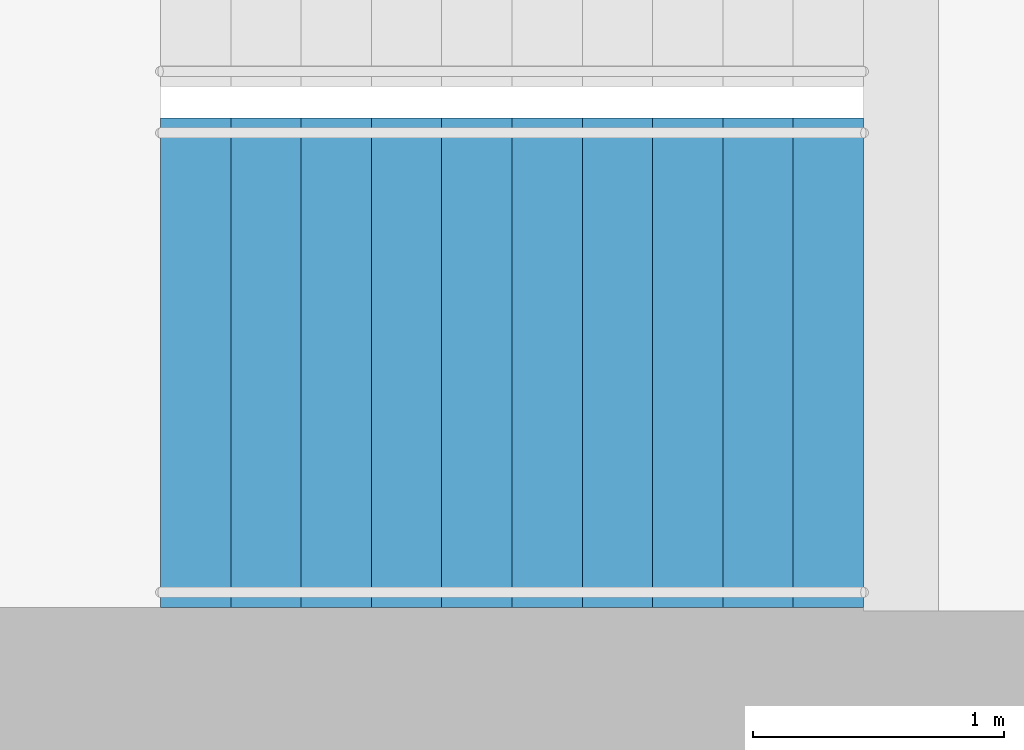
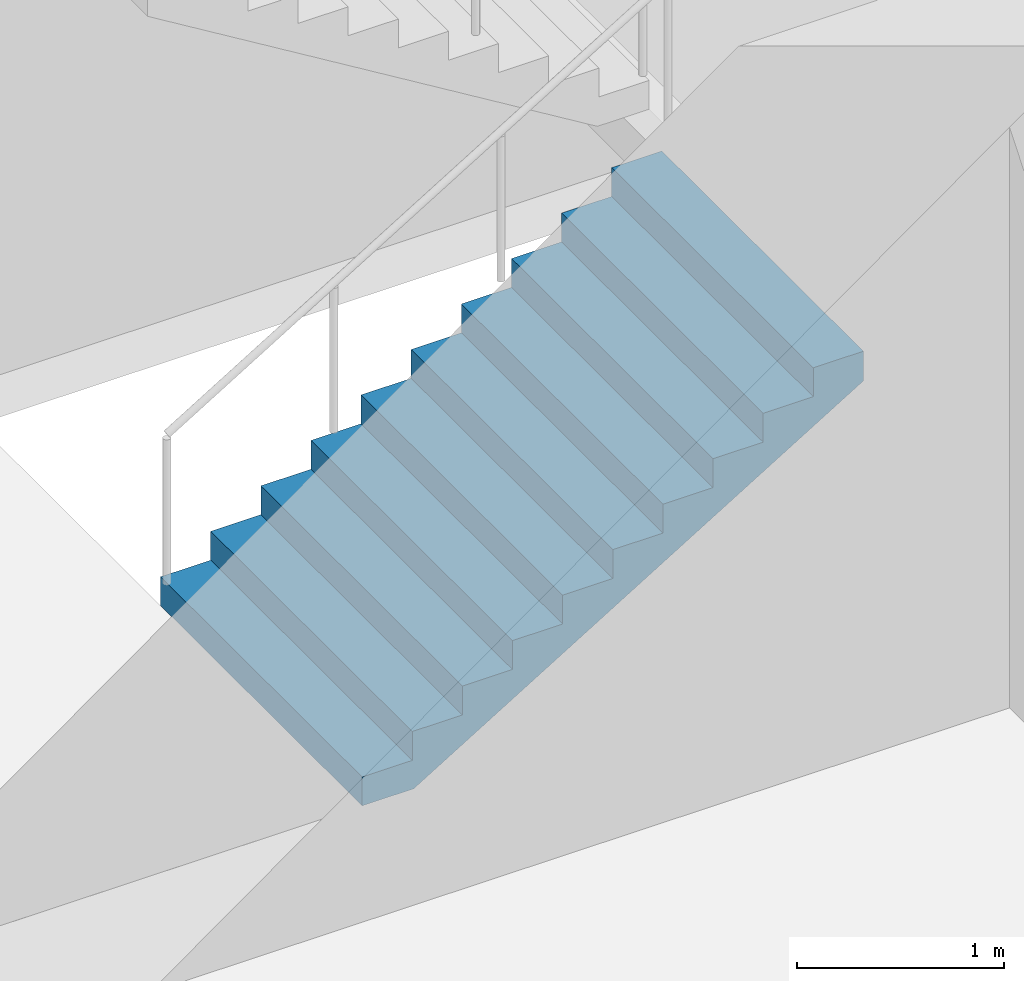
# One storey, part 19 of 23: 1 stair flight, 1 element without a shape of its own.
"""IFC4 building model written with IfcOpenShell, lengths in metres."""

import ifcopenshell
import ifcopenshell.guid

model = None  # the IFC model being written
_history = None  # IfcOwnerHistory: only IFC2X3 demands one
_inside = {}  # id of a spatial element -> (the spatial element, [elements in it])
_under = {}  # id of a project, library or spatial element -> (it, [spatial elements below it])
_declared = {}  # id of a project -> (the project, [libraries it declares])
_typed = {}  # id of a type object -> (the type object, [elements of that type])
_made_of = {}  # id of a material, layer set ... -> (it, [elements and type objects made of it])


def new_model(schema):
    """Start an empty IFC model of exactly this schema.

    Asked for "IFC4X3", IfcOpenShell would pick the latest addendum, in which some entities
    have other attributes; the version numbers below select the first issue.
    IFC2X3 requires an IfcOwnerHistory on every rooted entity: one is made here for all.
    """
    global model, _history
    if schema == "IFC4X3":
        model = ifcopenshell.file(schema_version=(4, 3, 0, 0))
    else:
        model = ifcopenshell.file(schema=schema)
    _inside.clear()
    _under.clear()
    _declared.clear()
    _typed.clear()
    _made_of.clear()
    _history = None
    if model.schema == "IFC2X3":
        org = make("IfcOrganization", Name="unknown")
        user = make(
            "IfcPersonAndOrganization",
            ThePerson=make("IfcPerson", FamilyName="unknown"),
            TheOrganization=org,
        )
        app = make(
            "IfcApplication",
            ApplicationDeveloper=org,
            Version="unknown",
            ApplicationFullName="unknown",
            ApplicationIdentifier="unknown",
        )
        _history = make(
            "IfcOwnerHistory",
            OwningUser=user,
            OwningApplication=app,
            ChangeAction="ADDED",
            CreationDate=0,
        )
    return model


def make(cls, **values):
    """One entity of the class cls with the attributes given. An attribute that is None is left unset."""
    return model.create_entity(
        cls, **{name: value for name, value in values.items() if value is not None}
    )


def rooted(cls, **values):
    """An entity with a GlobalId (a new one), such as an element, a storey or a relation."""
    return make(cls, GlobalId=ifcopenshell.guid.new(), OwnerHistory=_history, **values)


def si_unit(unit_type, name, prefix=None):
    """IfcSIUnit, for example si_unit("LENGTHUNIT", "METRE", prefix="MILLI")."""
    return make("IfcSIUnit", UnitType=unit_type, Prefix=prefix, Name=name)


def assignment(units):
    """IfcUnitAssignment: the units of a project."""
    return None if units is None else make("IfcUnitAssignment", Units=units)


def point(xyz):
    """IfcCartesianPoint."""
    return None if xyz is None else make("IfcCartesianPoint", Coordinates=xyz)


def direction(xyz):
    """IfcDirection."""
    return None if xyz is None else make("IfcDirection", DirectionRatios=xyz)


def frame(location, z_axis=None, x_axis=None):
    """IfcAxis2Placement3D, a coordinate frame: its origin and axes. An axis left out is left unset."""
    return make(
        "IfcAxis2Placement3D",
        Location=point(location),
        Axis=direction(z_axis),
        RefDirection=direction(x_axis),
    )


def origin():
    """The frame at (0, 0, 0) with its axes left unset."""
    return frame((0.0, 0.0, 0.0))


def place(relative_to, where):
    """IfcLocalPlacement: puts the frame where relative to a parent placement (None: the world)."""
    return make(
        "IfcLocalPlacement", PlacementRelTo=relative_to, RelativePlacement=where
    )


def context(
    kind, dimensions, precision=None, world=None, true_north=None, identifier=None
):
    """IfcGeometricRepresentationContext, for example the 3D "Model" context."""
    return make(
        "IfcGeometricRepresentationContext",
        ContextIdentifier=identifier,
        ContextType=kind,
        CoordinateSpaceDimension=dimensions,
        Precision=precision,
        WorldCoordinateSystem=world,
        TrueNorth=true_north,
    )


def subcontext(parent, identifier, kind, view, scale=None):
    """IfcGeometricRepresentationSubContext, for example "Body" below "Model"."""
    return make(
        "IfcGeometricRepresentationSubContext",
        ContextIdentifier=identifier,
        ContextType=kind,
        ParentContext=parent,
        TargetScale=scale,
        TargetView=view,
    )


def project(units=None, contexts=None):
    """IfcProject with its units and contexts."""
    return rooted(
        "IfcProject",
        Name="project",
        RepresentationContexts=contexts,
        UnitsInContext=assignment(units),
    )


def spatial(cls, under=None, at=None, **own):
    """A site, building, storey or space (cls), placed at a placement, below another one or the project."""
    s = rooted(cls, ObjectPlacement=at, **own)
    if under is not None:
        _under.setdefault(under.id(), (under, []))[1].append(s)
    return s


def point_list(points):
    """IfcCartesianPointList2D or 3D."""
    cls = (
        "IfcCartesianPointList2D" if len(points[0]) == 2 else "IfcCartesianPointList3D"
    )
    return make(cls, CoordList=points)


def triangles(points, corners, closed=None, point_numbers=None):
    """IfcTriangulatedFaceSet: each triangle names its three corners, points numbered from 1."""
    return make(
        "IfcTriangulatedFaceSet",
        Coordinates=point_list(points),
        Closed=closed,
        CoordIndex=corners,
        PnIndex=point_numbers,
    )


def shape(context_of_items, identifier, shape_type, items):
    """IfcShapeRepresentation: the items that make up one representation, for example the "Body"."""
    return make(
        "IfcShapeRepresentation",
        ContextOfItems=context_of_items,
        RepresentationIdentifier=identifier,
        RepresentationType=shape_type,
        Items=items,
    )


def material(Name=None, Category=None):
    """IfcMaterial."""
    return make("IfcMaterial", Name=Name, Category=Category)


def made_of(thing, what):
    """Note that an element or type object is made of a material, layer set ...; save() writes the relation."""
    if what is not None:
        _made_of.setdefault(what.id(), (what, []))[1].append(thing)
    return thing


def type_object(cls, material=None, **own):
    """A type object (cls), such as IfcWallType, which elements share."""
    return made_of(rooted(cls, **own), material)


def element(
    cls,
    number,
    at=None,
    inside=None,
    cuts=None,
    type_object=None,
    material=None,
    context=None,
    identifier="Body",
    shape_type=None,
    held_by="IfcProductDefinitionShape",
    body=None,
    shapes=None,
    **own,
):
    """One element of the class cls, such as IfcWall. Its Tag is "e" and its number.

    at: its placement. inside: the storey or other place that contains it. cuts: it is an
    opening in that element (IfcRelVoidsElement). A single representation is given by context,
    identifier, shape_type and body (its items); several are given by shapes. held_by: the class
    of the entity that holds the representations. save() writes the other relations.
    """
    e = rooted(cls, Tag="e%d" % number, ObjectPlacement=at, **own)
    if body is not None:
        shapes = [shape(context, identifier, shape_type, body)]
    if shapes is not None:
        e.Representation = make(held_by, Representations=shapes)
    if inside is not None:
        _inside.setdefault(inside.id(), (inside, []))[1].append(e)
    if cuts is not None:
        rooted(
            "IfcRelVoidsElement", RelatingBuildingElement=cuts, RelatedOpeningElement=e
        )
    if type_object is not None:
        _typed.setdefault(type_object.id(), (type_object, []))[1].append(e)
    return made_of(e, material)


def aggregate(whole, parts):
    """IfcRelAggregates: a whole, such as a stair, and the parts it consists of."""
    return rooted("IfcRelAggregates", RelatingObject=whole, RelatedObjects=parts)


def save(model, path):
    """Write the relations noted so far, then the file.

    IfcRelAggregates (storeys below a building ...), IfcRelContainedInSpatialStructure (elements
    in a storey), IfcRelDefinesByType, IfcRelAssociatesMaterial and IfcRelDeclares: one each for
    every whole, place, type object, material and project.
    """
    for whole, parts in _under.values():
        aggregate(whole, parts)
    for where, things in _inside.values():
        rooted(
            "IfcRelContainedInSpatialStructure",
            RelatedElements=things,
            RelatingStructure=where,
        )
    for kind, things in _typed.values():
        rooted("IfcRelDefinesByType", RelatedObjects=things, RelatingType=kind)
    for what, things in _made_of.values():
        rooted("IfcRelAssociatesMaterial", RelatedObjects=things, RelatingMaterial=what)
    for by, libraries in _declared.values():
        rooted("IfcRelDeclares", RelatingContext=by, RelatedDefinitions=libraries)
    model.write(path)


model = new_model("IFC4")

# Units and contexts
model_context = context("Model", 3, precision=1e-05, world=origin(), true_north=direction((0.0, 1.0)))
body_context = subcontext(model_context, "Body", "Model", "MODEL_VIEW")
ifc_project = project(units=[si_unit("LENGTHUNIT", "METRE"), si_unit("AREAUNIT", "SQUARE_METRE"), si_unit("VOLUMEUNIT", "CUBIC_METRE"), si_unit("PLANEANGLEUNIT", "RADIAN"), si_unit("MASSUNIT", "GRAM", prefix="KILO")], contexts=[model_context])

# Site, building, storey
site_placement = place(None, origin())
site = spatial("IfcSite", under=ifc_project, at=site_placement, CompositionType="ELEMENT")
building_placement = place(site_placement, origin())
building = spatial("IfcBuilding", under=site, at=building_placement, Name="Orbita Commons", CompositionType="ELEMENT")
storey_placement = place(building_placement, frame((0.0, 0.0, 174.85009765625)))
storey = spatial("IfcBuildingStorey", under=building, at=storey_placement, Name="L43", CompositionType="ELEMENT", Elevation=174.85009765625)

# Stair, stair flight
ifc_material_1 = material(Name="Precast concrete C40/50", Category="concrete")
stair_type = type_object("IfcStairType", Name="Exit stair S1 2 flights 11 risers 170", PredefinedType="HALF_TURN_STAIR", material=ifc_material_1)
stair_placement = place(storey_placement, origin())
stair = element("IfcStair", 1, at=stair_placement, inside=storey, type_object=stair_type, Name="Exit stair S1 L43", PredefinedType="HALF_TURN_STAIR")
ifc_material_2 = material(Name="Precast concrete C40/50", Category="concrete")
stair_flight_type = type_object("IfcStairFlightType", Name="Stair flight 11 risers 170 x 280", PredefinedType="STRAIGHT", material=ifc_material_2)
stair_flight_placement = place(storey_placement, frame((20.449951171875, 27.199951171875, 0.0), z_axis=(0.0, 0.0, 1.0), x_axis=(1.0, 0.0, 0.0)))
stair_flight = element("IfcStairFlight", 2, at=stair_flight_placement, type_object=stair_flight_type, Name="S1 flight 1", NumberOfRisers=11, NumberOfTreads=10, PredefinedType="STRAIGHT", RiserHeight=0.170454545, TreadLength=0.28, context=body_context, shape_type="Tessellation", body=[
    triangles([(0.0, 0.974976, 0.0), (0.0, 0.974976, 0.021307), (0.0, 0.81248, 0.021307), (0.0, 0.81248, 0.0), (0.0, 0.649984, 0.021307), (0.0, 0.649984, 0.0), (0.0, 0.487488, 0.021307), (0.0, 0.487488, 0.0), (0.0, 0.324992, 0.021307), (0.0, 0.324992, 0.0), (0.0, 0.162496, 0.021307), (0.0, 0.162496, 0.0), (0.0, 0.0, 0.021307), (0.0, 0.0, 0.0), (0.0, -0.162496, 0.021307), (0.0, -0.162496, 0.0), (0.0, -0.324992, 0.021307), (0.0, -0.324992, 0.0), (0.0, -0.487488, 0.021307), (0.0, -0.487488, 0.0), (0.0, -0.649984, 0.021307), (0.0, -0.649984, 0.0), (0.0, -0.81248, 0.021307), (0.0, -0.81248, 0.0), (0.0, -0.974976, 0.021307), (0.0, -0.974976, 0.0), (0.0, 0.974976, 0.042614), (0.0, 0.81248, 0.042614), (0.0, 0.649984, 0.042614), (0.0, 0.487488, 0.042614), (0.0, 0.324992, 0.042614), (0.0, 0.162496, 0.042614), (0.0, 0.0, 0.042614), (0.0, -0.162496, 0.042614), (0.0, -0.324992, 0.042614), (0.0, -0.487488, 0.042614), (0.0, -0.649984, 0.042614), (0.0, -0.81248, 0.042614), (0.0, -0.974976, 0.042614), (0.0, 0.974976, 0.06392), (0.0, 0.81248, 0.06392), (0.0, 0.649984, 0.06392), (0.0, 0.487488, 0.06392), (0.0, 0.324992, 0.06392), (0.0, 0.162496, 0.06392), (0.0, 0.0, 0.06392), (0.0, -0.162496, 0.06392), (0.0, -0.324992, 0.06392), (0.0, -0.487488, 0.06392), (0.0, -0.649984, 0.06392), (0.0, -0.81248, 0.06392), (0.0, -0.974976, 0.06392), (0.0, 0.974976, 0.085227), (0.0, 0.81248, 0.085227), (0.0, 0.649984, 0.085227), (0.0, 0.487488, 0.085227), (0.0, 0.324992, 0.085227), (0.0, 0.162496, 0.085227), (0.0, 0.0, 0.085227), (0.0, -0.162496, 0.085227), (0.0, -0.324992, 0.085227), (0.0, -0.487488, 0.085227), (0.0, -0.649984, 0.085227), (0.0, -0.81248, 0.085227), (0.0, -0.974976, 0.085227), (0.0, 0.974976, 0.106534), (0.0, 0.81248, 0.106534), (0.0, 0.649984, 0.106534), (0.0, 0.487488, 0.106534), (0.0, 0.324992, 0.106534), (0.0, 0.162496, 0.106534), (0.0, 0.0, 0.106534), (0.0, -0.162496, 0.106534), (0.0, -0.324992, 0.106534), (0.0, -0.487488, 0.106534), (0.0, -0.649984, 0.106534), (0.0, -0.81248, 0.106534), (0.0, -0.974976, 0.106534), (0.0, 0.974976, 0.127841), (0.0, 0.81248, 0.127841), (0.0, 0.649984, 0.127841), (0.0, 0.487488, 0.127841), (0.0, 0.324992, 0.127841), (0.0, 0.162496, 0.127841), (0.0, 0.0, 0.127841), (0.0, -0.162496, 0.127841), (0.0, -0.324992, 0.127841), (0.0, -0.487488, 0.127841), (0.0, -0.649984, 0.127841), (0.0, -0.81248, 0.127841), (0.0, -0.974976, 0.127841), (0.0, 0.974976, 0.149148), (0.0, 0.81248, 0.149148), (0.0, 0.649984, 0.149148), (0.0, 0.487488, 0.149148), (0.0, 0.324992, 0.149148), (0.0, 0.162496, 0.149148), (0.0, 0.0, 0.149148), (0.0, -0.162496, 0.149148), (0.0, -0.324992, 0.149148), (0.0, -0.487488, 0.149148), (0.0, -0.649984, 0.149148), (0.0, -0.81248, 0.149148), (0.0, -0.974976, 0.149148), (0.0, 0.974976, 0.170455), (0.0, 0.81248, 0.170455), (0.0, 0.649984, 0.170455), (0.0, 0.487488, 0.170455), (0.0, 0.324992, 0.170455), (0.0, 0.162496, 0.170455), (0.0, 0.0, 0.170455), (0.0, -0.162496, 0.170455), (0.0, -0.324992, 0.170455), (0.0, -0.487488, 0.170455), (0.0, -0.649984, 0.170455), (0.0, -0.81248, 0.170455), (0.0, -0.974976, 0.170455), (0.28, 0.974976, 0.170455), (0.28, 0.81248, 0.170455), (0.28, 0.649984, 0.170455), (0.28, 0.487488, 0.170455), (0.28, 0.324992, 0.170455), (0.28, 0.162496, 0.170455), (0.28, 0.0, 0.170455), (0.28, -0.162496, 0.170455), (0.28, -0.324992, 0.170455), (0.28, -0.487488, 0.170455), (0.28, -0.649984, 0.170455), (0.28, -0.81248, 0.170455), (0.28, -0.974976, 0.170455), (0.28, 0.974976, 0.340909), (0.28, 0.81248, 0.340909), (0.28, 0.649984, 0.340909), (0.28, 0.487488, 0.340909), (0.28, 0.324992, 0.340909), (0.28, 0.162496, 0.340909), (0.28, 0.0, 0.340909), (0.28, -0.162496, 0.340909), (0.28, -0.324992, 0.340909), (0.28, -0.487488, 0.340909), (0.28, -0.649984, 0.340909), (0.28, -0.81248, 0.340909), (0.28, -0.974976, 0.340909), (0.56, 0.974976, 0.340909), (0.56, 0.81248, 0.340909), (0.56, 0.649984, 0.340909), (0.56, 0.487488, 0.340909), (0.56, 0.324992, 0.340909), (0.56, 0.162496, 0.340909), (0.56, 0.0, 0.340909), (0.56, -0.162496, 0.340909), (0.56, -0.324992, 0.340909), (0.56, -0.487488, 0.340909), (0.56, -0.649984, 0.340909), (0.56, -0.81248, 0.340909), (0.56, -0.974976, 0.340909), (0.56, 0.974976, 0.511364), (0.56, 0.81248, 0.511364), (0.56, 0.649984, 0.511364), (0.56, 0.487488, 0.511364), (0.56, 0.324992, 0.511364), (0.56, 0.162496, 0.511364), (0.56, 0.0, 0.511364), (0.56, -0.162496, 0.511364), (0.56, -0.324992, 0.511364), (0.56, -0.487488, 0.511364), (0.56, -0.649984, 0.511364), (0.56, -0.81248, 0.511364), (0.56, -0.974976, 0.511364), (0.84, 0.974976, 0.511364), (0.84, 0.81248, 0.511364), (0.84, 0.649984, 0.511364), (0.84, 0.487488, 0.511364), (0.84, 0.324992, 0.511364), (0.84, 0.162496, 0.511364), (0.84, 0.0, 0.511364), (0.84, -0.162496, 0.511364), (0.84, -0.324992, 0.511364), (0.84, -0.487488, 0.511364), (0.84, -0.649984, 0.511364), (0.84, -0.81248, 0.511364), (0.84, -0.974976, 0.511364), (0.84, 0.974976, 0.681818), (0.84, 0.81248, 0.681818), (0.84, 0.649984, 0.681818), (0.84, 0.487488, 0.681818), (0.84, 0.324992, 0.681818), (0.84, 0.162496, 0.681818), (0.84, 0.0, 0.681818), (0.84, -0.162496, 0.681818), (0.84, -0.324992, 0.681818), (0.84, -0.487488, 0.681818), (0.84, -0.649984, 0.681818), (0.84, -0.81248, 0.681818), (0.84, -0.974976, 0.681818), (1.12, 0.974976, 0.681818), (1.12, 0.81248, 0.681818), (1.12, 0.649984, 0.681818), (1.12, 0.487488, 0.681818), (1.12, 0.324992, 0.681818), (1.12, 0.162496, 0.681818), (1.12, 0.0, 0.681818), (1.12, -0.162496, 0.681818), (1.12, -0.324992, 0.681818), (1.12, -0.487488, 0.681818), (1.12, -0.649984, 0.681818), (1.12, -0.81248, 0.681818), (1.12, -0.974976, 0.681818), (1.12, 0.974976, 0.852273), (1.12, 0.81248, 0.852273), (1.12, 0.649984, 0.852273), (1.12, 0.487488, 0.852273), (1.12, 0.324992, 0.852273), (1.12, 0.162496, 0.852273), (1.12, 0.0, 0.852273), (1.12, -0.162496, 0.852273), (1.12, -0.324992, 0.852273), (1.12, -0.487488, 0.852273), (1.12, -0.649984, 0.852273), (1.12, -0.81248, 0.852273), (1.12, -0.974976, 0.852273), (1.4, 0.974976, 0.852273), (1.4, 0.81248, 0.852273), (1.4, 0.649984, 0.852273), (1.4, 0.487488, 0.852273), (1.4, 0.324992, 0.852273), (1.4, 0.162496, 0.852273), (1.4, 0.0, 0.852273), (1.4, -0.162496, 0.852273), (1.4, -0.324992, 0.852273), (1.4, -0.487488, 0.852273), (1.4, -0.649984, 0.852273), (1.4, -0.81248, 0.852273), (1.4, -0.974976, 0.852273), (1.4, 0.974976, 1.022727), (1.4, 0.81248, 1.022727), (1.4, 0.649984, 1.022727), (1.4, 0.487488, 1.022727), (1.4, 0.324992, 1.022727), (1.4, 0.162496, 1.022727), (1.4, 0.0, 1.022727), (1.4, -0.162496, 1.022727), (1.4, -0.324992, 1.022727), (1.4, -0.487488, 1.022727), (1.4, -0.649984, 1.022727), (1.4, -0.81248, 1.022727), (1.4, -0.974976, 1.022727), (1.68, 0.974976, 1.022727), (1.68, 0.81248, 1.022727), (1.68, 0.649984, 1.022727), (1.68, 0.487488, 1.022727), (1.68, 0.324992, 1.022727), (1.68, 0.162496, 1.022727), (1.68, 0.0, 1.022727), (1.68, -0.162496, 1.022727), (1.68, -0.324992, 1.022727), (1.68, -0.487488, 1.022727), (1.68, -0.649984, 1.022727), (1.68, -0.81248, 1.022727), (1.68, -0.974976, 1.022727), (1.68, 0.974976, 1.193182), (1.68, 0.81248, 1.193182), (1.68, 0.649984, 1.193182), (1.68, 0.487488, 1.193182), (1.68, 0.324992, 1.193182), (1.68, 0.162496, 1.193182), (1.68, 0.0, 1.193182), (1.68, -0.162496, 1.193182), (1.68, -0.324992, 1.193182), (1.68, -0.487488, 1.193182), (1.68, -0.649984, 1.193182), (1.68, -0.81248, 1.193182), (1.68, -0.974976, 1.193182), (1.96, 0.974976, 1.193182), (1.96, 0.81248, 1.193182), (1.96, 0.649984, 1.193182), (1.96, 0.487488, 1.193182), (1.96, 0.324992, 1.193182), (1.96, 0.162496, 1.193182), (1.96, 0.0, 1.193182), (1.96, -0.162496, 1.193182), (1.96, -0.324992, 1.193182), (1.96, -0.487488, 1.193182), (1.96, -0.649984, 1.193182), (1.96, -0.81248, 1.193182), (1.96, -0.974976, 1.193182), (1.96, 0.974976, 1.363636), (1.96, 0.81248, 1.363636), (1.96, 0.649984, 1.363636), (1.96, 0.487488, 1.363636), (1.96, 0.324992, 1.363636), (1.96, 0.162496, 1.363636), (1.96, 0.0, 1.363636), (1.96, -0.162496, 1.363636), (1.96, -0.324992, 1.363636), (1.96, -0.487488, 1.363636), (1.96, -0.649984, 1.363636), (1.96, -0.81248, 1.363636), (1.96, -0.974976, 1.363636), (2.24, 0.974976, 1.363636), (2.24, 0.81248, 1.363636), (2.24, 0.649984, 1.363636), (2.24, 0.487488, 1.363636), (2.24, 0.324992, 1.363636), (2.24, 0.162496, 1.363636), (2.24, 0.0, 1.363636), (2.24, -0.162496, 1.363636), (2.24, -0.324992, 1.363636), (2.24, -0.487488, 1.363636), (2.24, -0.649984, 1.363636), (2.24, -0.81248, 1.363636), (2.24, -0.974976, 1.363636), (2.24, 0.974976, 1.534091), (2.24, 0.81248, 1.534091), (2.24, 0.649984, 1.534091), (2.24, 0.487488, 1.534091), (2.24, 0.324992, 1.534091), (2.24, 0.162496, 1.534091), (2.24, 0.0, 1.534091), (2.24, -0.162496, 1.534091), (2.24, -0.324992, 1.534091), (2.24, -0.487488, 1.534091), (2.24, -0.649984, 1.534091), (2.24, -0.81248, 1.534091), (2.24, -0.974976, 1.534091), (2.52, 0.974976, 1.534091), (2.52, 0.81248, 1.534091), (2.52, 0.649984, 1.534091), (2.52, 0.487488, 1.534091), (2.52, 0.324992, 1.534091), (2.52, 0.162496, 1.534091), (2.52, 0.0, 1.534091), (2.52, -0.162496, 1.534091), (2.52, -0.324992, 1.534091), (2.52, -0.487488, 1.534091), (2.52, -0.649984, 1.534091), (2.52, -0.81248, 1.534091), (2.52, -0.974976, 1.534091), (2.52, 0.974976, 1.704545), (2.52, 0.81248, 1.704545), (2.52, 0.649984, 1.704545), (2.52, 0.487488, 1.704545), (2.52, 0.324992, 1.704545), (2.52, 0.162496, 1.704545), (2.52, 0.0, 1.704545), (2.52, -0.162496, 1.704545), (2.52, -0.324992, 1.704545), (2.52, -0.487488, 1.704545), (2.52, -0.649984, 1.704545), (2.52, -0.81248, 1.704545), (2.52, -0.974976, 1.704545), (2.8, 0.974976, 1.704545), (2.8, 0.81248, 1.704545), (2.8, 0.649984, 1.704545), (2.8, 0.487488, 1.704545), (2.8, 0.324992, 1.704545), (2.8, 0.162496, 1.704545), (2.8, 0.0, 1.704545), (2.8, -0.162496, 1.704545), (2.8, -0.324992, 1.704545), (2.8, -0.487488, 1.704545), (2.8, -0.649984, 1.704545), (2.8, -0.81248, 1.704545), (2.8, -0.974976, 1.704545), (2.8, 0.974976, 1.682609), (2.8, 0.81248, 1.682609), (2.8, 0.649984, 1.682609), (2.8, 0.487488, 1.682609), (2.8, 0.324992, 1.682609), (2.8, 0.162496, 1.682609), (2.8, 0.0, 1.682609), (2.8, -0.162496, 1.682609), (2.8, -0.324992, 1.682609), (2.8, -0.487488, 1.682609), (2.8, -0.649984, 1.682609), (2.8, -0.81248, 1.682609), (2.8, -0.974976, 1.682609), (2.8, 0.974976, 1.660672), (2.8, 0.81248, 1.660672), (2.8, 0.649984, 1.660672), (2.8, 0.487488, 1.660672), (2.8, 0.324992, 1.660672), (2.8, 0.162496, 1.660672), (2.8, 0.0, 1.660672), (2.8, -0.162496, 1.660672), (2.8, -0.324992, 1.660672), (2.8, -0.487488, 1.660672), (2.8, -0.649984, 1.660672), (2.8, -0.81248, 1.660672), (2.8, -0.974976, 1.660672), (2.8, 0.974976, 1.638735), (2.8, 0.81248, 1.638735), (2.8, 0.649984, 1.638735), (2.8, 0.487488, 1.638735), (2.8, 0.324992, 1.638735), (2.8, 0.162496, 1.638735), (2.8, 0.0, 1.638735), (2.8, -0.162496, 1.638735), (2.8, -0.324992, 1.638735), (2.8, -0.487488, 1.638735), (2.8, -0.649984, 1.638735), (2.8, -0.81248, 1.638735), (2.8, -0.974976, 1.638735), (2.8, 0.974976, 1.616798), (2.8, 0.81248, 1.616798), (2.8, 0.649984, 1.616798), (2.8, 0.487488, 1.616798), (2.8, 0.324992, 1.616798), (2.8, 0.162496, 1.616798), (2.8, 0.0, 1.616798), (2.8, -0.162496, 1.616798), (2.8, -0.324992, 1.616798), (2.8, -0.487488, 1.616798), (2.8, -0.649984, 1.616798), (2.8, -0.81248, 1.616798), (2.8, -0.974976, 1.616798), (2.8, 0.974976, 1.594861), (2.8, 0.81248, 1.594861), (2.8, 0.649984, 1.594861), (2.8, 0.487488, 1.594861), (2.8, 0.324992, 1.594861), (2.8, 0.162496, 1.594861), (2.8, 0.0, 1.594861), (2.8, -0.162496, 1.594861), (2.8, -0.324992, 1.594861), (2.8, -0.487488, 1.594861), (2.8, -0.649984, 1.594861), (2.8, -0.81248, 1.594861), (2.8, -0.974976, 1.594861), (2.8, 0.974976, 1.572925), (2.8, 0.81248, 1.572925), (2.8, 0.649984, 1.572925), (2.8, 0.487488, 1.572925), (2.8, 0.324992, 1.572925), (2.8, 0.162496, 1.572925), (2.8, 0.0, 1.572925), (2.8, -0.162496, 1.572925), (2.8, -0.324992, 1.572925), (2.8, -0.487488, 1.572925), (2.8, -0.649984, 1.572925), (2.8, -0.81248, 1.572925), (2.8, -0.974976, 1.572925), (2.8, 0.974976, 1.550988), (2.8, 0.81248, 1.550988), (2.8, 0.649984, 1.550988), (2.8, 0.487488, 1.550988), (2.8, 0.324992, 1.550988), (2.8, 0.162496, 1.550988), (2.8, 0.0, 1.550988), (2.8, -0.162496, 1.550988), (2.8, -0.324992, 1.550988), (2.8, -0.487488, 1.550988), (2.8, -0.649984, 1.550988), (2.8, -0.81248, 1.550988), (2.8, -0.974976, 1.550988), (2.8, 0.974976, 1.529051), (2.8, 0.81248, 1.529051), (2.8, 0.649984, 1.529051), (2.8, 0.487488, 1.529051), (2.8, 0.324992, 1.529051), (2.8, 0.162496, 1.529051), (2.8, 0.0, 1.529051), (2.8, -0.162496, 1.529051), (2.8, -0.324992, 1.529051), (2.8, -0.487488, 1.529051), (2.8, -0.649984, 1.529051), (2.8, -0.81248, 1.529051), (2.8, -0.974976, 1.529051), (0.288279, 0.974976, 0.0), (0.288279, 0.81248, 0.0), (0.288279, 0.649984, 0.0), (0.288279, 0.487488, 0.0), (0.288279, 0.324992, 0.0), (0.288279, 0.162496, 0.0), (0.288279, 0.0, 0.0), (0.288279, -0.162496, 0.0), (0.288279, -0.324992, 0.0), (0.288279, -0.487488, 0.0), (0.288279, -0.649984, 0.0), (0.288279, -0.81248, 0.0), (0.288279, -0.974976, 0.0)], [[3, 2, 1], [4, 3, 1], [5, 3, 4], [6, 5, 4], [7, 5, 6], [8, 7, 6], [9, 7, 8], [10, 9, 8], [11, 9, 10], [12, 11, 10], [13, 11, 12], [14, 13, 12], [15, 13, 14], [16, 15, 14], [17, 15, 16], [18, 17, 16], [19, 17, 18], [20, 19, 18], [21, 19, 20], [22, 21, 20], [23, 21, 22], [24, 23, 22], [25, 23, 24], [26, 25, 24], [28, 27, 2], [3, 28, 2], [29, 28, 3], [5, 29, 3], [30, 29, 5], [7, 30, 5], [31, 30, 7], [9, 31, 7], [32, 31, 9], [11, 32, 9], [33, 32, 11], [13, 33, 11], [34, 33, 13], [15, 34, 13], [35, 34, 15], [17, 35, 15], [36, 35, 17], [19, 36, 17], [37, 36, 19], [21, 37, 19], [38, 37, 21], [23, 38, 21], [39, 38, 23], [25, 39, 23], [41, 40, 27], [28, 41, 27], [42, 41, 28], [29, 42, 28], [43, 42, 29], [30, 43, 29], [44, 43, 30], [31, 44, 30], [45, 44, 31], [32, 45, 31], [46, 45, 32], [33, 46, 32], [47, 46, 33], [34, 47, 33], [48, 47, 34], [35, 48, 34], [49, 48, 35], [36, 49, 35], [50, 49, 36], [37, 50, 36], [51, 50, 37], [38, 51, 37], [52, 51, 38], [39, 52, 38], [54, 53, 40], [41, 54, 40], [55, 54, 41], [42, 55, 41], [56, 55, 42], [43, 56, 42], [57, 56, 43], [44, 57, 43], [58, 57, 44], [45, 58, 44], [59, 58, 45], [46, 59, 45], [60, 59, 46], [47, 60, 46], [61, 60, 47], [48, 61, 47], [62, 61, 48], [49, 62, 48], [63, 62, 49], [50, 63, 49], [64, 63, 50], [51, 64, 50], [65, 64, 51], [52, 65, 51], [67, 66, 53], [54, 67, 53], [68, 67, 54], [55, 68, 54], [69, 68, 55], [56, 69, 55], [70, 69, 56], [57, 70, 56], [71, 70, 57], [58, 71, 57], [72, 71, 58], [59, 72, 58], [73, 72, 59], [60, 73, 59], [74, 73, 60], [61, 74, 60], [75, 74, 61], [62, 75, 61], [76, 75, 62], [63, 76, 62], [77, 76, 63], [64, 77, 63], [78, 77, 64], [65, 78, 64], [80, 79, 66], [67, 80, 66], [81, 80, 67], [68, 81, 67], [82, 81, 68], [69, 82, 68], [83, 82, 69], [70, 83, 69], [84, 83, 70], [71, 84, 70], [85, 84, 71], [72, 85, 71], [86, 85, 72], [73, 86, 72], [87, 86, 73], [74, 87, 73], [88, 87, 74], [75, 88, 74], [89, 88, 75], [76, 89, 75], [90, 89, 76], [77, 90, 76], [91, 90, 77], [78, 91, 77], [93, 92, 79], [80, 93, 79], [94, 93, 80], [81, 94, 80], [95, 94, 81], [82, 95, 81], [96, 95, 82], [83, 96, 82], [97, 96, 83], [84, 97, 83], [98, 97, 84], [85, 98, 84], [99, 98, 85], [86, 99, 85], [100, 99, 86], [87, 100, 86], [101, 100, 87], [88, 101, 87], [102, 101, 88], [89, 102, 88], [103, 102, 89], [90, 103, 89], [104, 103, 90], [91, 104, 90], [106, 105, 92], [93, 106, 92], [107, 106, 93], [94, 107, 93], [108, 107, 94], [95, 108, 94], [109, 108, 95], [96, 109, 95], [110, 109, 96], [97, 110, 96], [111, 110, 97], [98, 111, 97], [112, 111, 98], [99, 112, 98], [113, 112, 99], [100, 113, 99], [114, 113, 100], [101, 114, 100], [115, 114, 101], [102, 115, 101], [116, 115, 102], [103, 116, 102], [117, 116, 103], [104, 117, 103], [119, 118, 105], [106, 119, 105], [120, 119, 106], [107, 120, 106], [121, 120, 107], [108, 121, 107], [122, 121, 108], [109, 122, 108], [123, 122, 109], [110, 123, 109], [124, 123, 110], [111, 124, 110], [125, 124, 111], [112, 125, 111], [126, 125, 112], [113, 126, 112], [127, 126, 113], [114, 127, 113], [128, 127, 114], [115, 128, 114], [129, 128, 115], [116, 129, 115], [130, 129, 116], [117, 130, 116], [132, 131, 118], [119, 132, 118], [133, 132, 119], [120, 133, 119], [134, 133, 120], [121, 134, 120], [135, 134, 121], [122, 135, 121], [136, 135, 122], [123, 136, 122], [137, 136, 123], [124, 137, 123], [138, 137, 124], [125, 138, 124], [139, 138, 125], [126, 139, 125], [140, 139, 126], [127, 140, 126], [141, 140, 127], [128, 141, 127], [142, 141, 128], [129, 142, 128], [143, 142, 129], [130, 143, 129], [145, 144, 131], [132, 145, 131], [146, 145, 132], [133, 146, 132], [147, 146, 133], [134, 147, 133], [148, 147, 134], [135, 148, 134], [149, 148, 135], [136, 149, 135], [150, 149, 136], [137, 150, 136], [151, 150, 137], [138, 151, 137], [152, 151, 138], [139, 152, 138], [153, 152, 139], [140, 153, 139], [154, 153, 140], [141, 154, 140], [155, 154, 141], [142, 155, 141], [156, 155, 142], [143, 156, 142], [158, 157, 144], [145, 158, 144], [159, 158, 145], [146, 159, 145], [160, 159, 146], [147, 160, 146], [161, 160, 147], [148, 161, 147], [162, 161, 148], [149, 162, 148], [163, 162, 149], [150, 163, 149], [164, 163, 150], [151, 164, 150], [165, 164, 151], [152, 165, 151], [166, 165, 152], [153, 166, 152], [167, 166, 153], [154, 167, 153], [168, 167, 154], [155, 168, 154], [169, 168, 155], [156, 169, 155], [171, 170, 157], [158, 171, 157], [172, 171, 158], [159, 172, 158], [173, 172, 159], [160, 173, 159], [174, 173, 160], [161, 174, 160], [175, 174, 161], [162, 175, 161], [176, 175, 162], [163, 176, 162], [177, 176, 163], [164, 177, 163], [178, 177, 164], [165, 178, 164], [179, 178, 165], [166, 179, 165], [180, 179, 166], [167, 180, 166], [181, 180, 167], [168, 181, 167], [182, 181, 168], [169, 182, 168], [184, 183, 170], [171, 184, 170], [185, 184, 171], [172, 185, 171], [186, 185, 172], [173, 186, 172], [187, 186, 173], [174, 187, 173], [188, 187, 174], [175, 188, 174], [189, 188, 175], [176, 189, 175], [190, 189, 176], [177, 190, 176], [191, 190, 177], [178, 191, 177], [192, 191, 178], [179, 192, 178], [193, 192, 179], [180, 193, 179], [194, 193, 180], [181, 194, 180], [195, 194, 181], [182, 195, 181], [197, 196, 183], [184, 197, 183], [198, 197, 184], [185, 198, 184], [199, 198, 185], [186, 199, 185], [200, 199, 186], [187, 200, 186], [201, 200, 187], [188, 201, 187], [202, 201, 188], [189, 202, 188], [203, 202, 189], [190, 203, 189], [204, 203, 190], [191, 204, 190], [205, 204, 191], [192, 205, 191], [206, 205, 192], [193, 206, 192], [207, 206, 193], [194, 207, 193], [208, 207, 194], [195, 208, 194], [210, 209, 196], [197, 210, 196], [211, 210, 197], [198, 211, 197], [212, 211, 198], [199, 212, 198], [213, 212, 199], [200, 213, 199], [214, 213, 200], [201, 214, 200], [215, 214, 201], [202, 215, 201], [216, 215, 202], [203, 216, 202], [217, 216, 203], [204, 217, 203], [218, 217, 204], [205, 218, 204], [219, 218, 205], [206, 219, 205], [220, 219, 206], [207, 220, 206], [221, 220, 207], [208, 221, 207], [223, 222, 209], [210, 223, 209], [224, 223, 210], [211, 224, 210], [225, 224, 211], [212, 225, 211], [226, 225, 212], [213, 226, 212], [227, 226, 213], [214, 227, 213], [228, 227, 214], [215, 228, 214], [229, 228, 215], [216, 229, 215], [230, 229, 216], [217, 230, 216], [231, 230, 217], [218, 231, 217], [232, 231, 218], [219, 232, 218], [233, 232, 219], [220, 233, 219], [234, 233, 220], [221, 234, 220], [236, 235, 222], [223, 236, 222], [237, 236, 223], [224, 237, 223], [238, 237, 224], [225, 238, 224], [239, 238, 225], [226, 239, 225], [240, 239, 226], [227, 240, 226], [241, 240, 227], [228, 241, 227], [242, 241, 228], [229, 242, 228], [243, 242, 229], [230, 243, 229], [244, 243, 230], [231, 244, 230], [245, 244, 231], [232, 245, 231], [246, 245, 232], [233, 246, 232], [247, 246, 233], [234, 247, 233], [249, 248, 235], [236, 249, 235], [250, 249, 236], [237, 250, 236], [251, 250, 237], [238, 251, 237], [252, 251, 238], [239, 252, 238], [253, 252, 239], [240, 253, 239], [254, 253, 240], [241, 254, 240], [255, 254, 241], [242, 255, 241], [256, 255, 242], [243, 256, 242], [257, 256, 243], [244, 257, 243], [258, 257, 244], [245, 258, 244], [259, 258, 245], [246, 259, 245], [260, 259, 246], [247, 260, 246], [262, 261, 248], [249, 262, 248], [263, 262, 249], [250, 263, 249], [264, 263, 250], [251, 264, 250], [265, 264, 251], [252, 265, 251], [266, 265, 252], [253, 266, 252], [267, 266, 253], [254, 267, 253], [268, 267, 254], [255, 268, 254], [269, 268, 255], [256, 269, 255], [270, 269, 256], [257, 270, 256], [271, 270, 257], [258, 271, 257], [272, 271, 258], [259, 272, 258], [273, 272, 259], [260, 273, 259], [275, 274, 261], [262, 275, 261], [276, 275, 262], [263, 276, 262], [277, 276, 263], [264, 277, 263], [278, 277, 264], [265, 278, 264], [279, 278, 265], [266, 279, 265], [280, 279, 266], [267, 280, 266], [281, 280, 267], [268, 281, 267], [282, 281, 268], [269, 282, 268], [283, 282, 269], [270, 283, 269], [284, 283, 270], [271, 284, 270], [285, 284, 271], [272, 285, 271], [286, 285, 272], [273, 286, 272], [288, 287, 274], [275, 288, 274], [289, 288, 275], [276, 289, 275], [290, 289, 276], [277, 290, 276], [291, 290, 277], [278, 291, 277], [292, 291, 278], [279, 292, 278], [293, 292, 279], [280, 293, 279], [294, 293, 280], [281, 294, 280], [295, 294, 281], [282, 295, 281], [296, 295, 282], [283, 296, 282], [297, 296, 283], [284, 297, 283], [298, 297, 284], [285, 298, 284], [299, 298, 285], [286, 299, 285], [301, 300, 287], [288, 301, 287], [302, 301, 288], [289, 302, 288], [303, 302, 289], [290, 303, 289], [304, 303, 290], [291, 304, 290], [305, 304, 291], [292, 305, 291], [306, 305, 292], [293, 306, 292], [307, 306, 293], [294, 307, 293], [308, 307, 294], [295, 308, 294], [309, 308, 295], [296, 309, 295], [310, 309, 296], [297, 310, 296], [311, 310, 297], [298, 311, 297], [312, 311, 298], [299, 312, 298], [314, 313, 300], [301, 314, 300], [315, 314, 301], [302, 315, 301], [316, 315, 302], [303, 316, 302], [317, 316, 303], [304, 317, 303], [318, 317, 304], [305, 318, 304], [319, 318, 305], [306, 319, 305], [320, 319, 306], [307, 320, 306], [321, 320, 307], [308, 321, 307], [322, 321, 308], [309, 322, 308], [323, 322, 309], [310, 323, 309], [324, 323, 310], [311, 324, 310], [325, 324, 311], [312, 325, 311], [327, 326, 313], [314, 327, 313], [328, 327, 314], [315, 328, 314], [329, 328, 315], [316, 329, 315], [330, 329, 316], [317, 330, 316], [331, 330, 317], [318, 331, 317], [332, 331, 318], [319, 332, 318], [333, 332, 319], [320, 333, 319], [334, 333, 320], [321, 334, 320], [335, 334, 321], [322, 335, 321], [336, 335, 322], [323, 336, 322], [337, 336, 323], [324, 337, 323], [338, 337, 324], [325, 338, 324], [340, 339, 326], [327, 340, 326], [341, 340, 327], [328, 341, 327], [342, 341, 328], [329, 342, 328], [343, 342, 329], [330, 343, 329], [344, 343, 330], [331, 344, 330], [345, 344, 331], [332, 345, 331], [346, 345, 332], [333, 346, 332], [347, 346, 333], [334, 347, 333], [348, 347, 334], [335, 348, 334], [349, 348, 335], [336, 349, 335], [350, 349, 336], [337, 350, 336], [351, 350, 337], [338, 351, 337], [353, 352, 339], [340, 353, 339], [354, 353, 340], [341, 354, 340], [355, 354, 341], [342, 355, 341], [356, 355, 342], [343, 356, 342], [357, 356, 343], [344, 357, 343], [358, 357, 344], [345, 358, 344], [359, 358, 345], [346, 359, 345], [360, 359, 346], [347, 360, 346], [361, 360, 347], [348, 361, 347], [362, 361, 348], [349, 362, 348], [363, 362, 349], [350, 363, 349], [364, 363, 350], [351, 364, 350], [366, 365, 352], [353, 366, 352], [367, 366, 353], [354, 367, 353], [368, 367, 354], [355, 368, 354], [369, 368, 355], [356, 369, 355], [370, 369, 356], [357, 370, 356], [371, 370, 357], [358, 371, 357], [372, 371, 358], [359, 372, 358], [373, 372, 359], [360, 373, 359], [374, 373, 360], [361, 374, 360], [375, 374, 361], [362, 375, 361], [376, 375, 362], [363, 376, 362], [377, 376, 363], [364, 377, 363], [379, 378, 365], [366, 379, 365], [380, 379, 366], [367, 380, 366], [381, 380, 367], [368, 381, 367], [382, 381, 368], [369, 382, 368], [383, 382, 369], [370, 383, 369], [384, 383, 370], [371, 384, 370], [385, 384, 371], [372, 385, 371], [386, 385, 372], [373, 386, 372], [387, 386, 373], [374, 387, 373], [388, 387, 374], [375, 388, 374], [389, 388, 375], [376, 389, 375], [390, 389, 376], [377, 390, 376], [392, 391, 378], [379, 392, 378], [393, 392, 379], [380, 393, 379], [394, 393, 380], [381, 394, 380], [395, 394, 381], [382, 395, 381], [396, 395, 382], [383, 396, 382], [397, 396, 383], [384, 397, 383], [398, 397, 384], [385, 398, 384], [399, 398, 385], [386, 399, 385], [400, 399, 386], [387, 400, 386], [401, 400, 387], [388, 401, 387], [402, 401, 388], [389, 402, 388], [403, 402, 389], [390, 403, 389], [405, 404, 391], [392, 405, 391], [406, 405, 392], [393, 406, 392], [407, 406, 393], [394, 407, 393], [408, 407, 394], [395, 408, 394], [409, 408, 395], [396, 409, 395], [410, 409, 396], [397, 410, 396], [411, 410, 397], [398, 411, 397], [412, 411, 398], [399, 412, 398], [413, 412, 399], [400, 413, 399], [414, 413, 400], [401, 414, 400], [415, 414, 401], [402, 415, 401], [416, 415, 402], [403, 416, 402], [418, 417, 404], [405, 418, 404], [419, 418, 405], [406, 419, 405], [420, 419, 406], [407, 420, 406], [421, 420, 407], [408, 421, 407], [422, 421, 408], [409, 422, 408], [423, 422, 409], [410, 423, 409], [424, 423, 410], [411, 424, 410], [425, 424, 411], [412, 425, 411], [426, 425, 412], [413, 426, 412], [427, 426, 413], [414, 427, 413], [428, 427, 414], [415, 428, 414], [429, 428, 415], [416, 429, 415], [431, 430, 417], [418, 431, 417], [432, 431, 418], [419, 432, 418], [433, 432, 419], [420, 433, 419], [434, 433, 420], [421, 434, 420], [435, 434, 421], [422, 435, 421], [436, 435, 422], [423, 436, 422], [437, 436, 423], [424, 437, 423], [438, 437, 424], [425, 438, 424], [439, 438, 425], [426, 439, 425], [440, 439, 426], [427, 440, 426], [441, 440, 427], [428, 441, 427], [442, 441, 428], [429, 442, 428], [444, 443, 430], [431, 444, 430], [445, 444, 431], [432, 445, 431], [446, 445, 432], [433, 446, 432], [447, 446, 433], [434, 447, 433], [448, 447, 434], [435, 448, 434], [449, 448, 435], [436, 449, 435], [450, 449, 436], [437, 450, 436], [451, 450, 437], [438, 451, 437], [452, 451, 438], [439, 452, 438], [453, 452, 439], [440, 453, 439], [454, 453, 440], [441, 454, 440], [455, 454, 441], [442, 455, 441], [457, 456, 443], [444, 457, 443], [458, 457, 444], [445, 458, 444], [459, 458, 445], [446, 459, 445], [460, 459, 446], [447, 460, 446], [461, 460, 447], [448, 461, 447], [462, 461, 448], [449, 462, 448], [463, 462, 449], [450, 463, 449], [464, 463, 450], [451, 464, 450], [465, 464, 451], [452, 465, 451], [466, 465, 452], [453, 466, 452], [467, 466, 453], [454, 467, 453], [468, 467, 454], [455, 468, 454], [470, 469, 456], [457, 470, 456], [471, 470, 457], [458, 471, 457], [472, 471, 458], [459, 472, 458], [473, 472, 459], [460, 473, 459], [474, 473, 460], [461, 474, 460], [475, 474, 461], [462, 475, 461], [476, 475, 462], [463, 476, 462], [477, 476, 463], [464, 477, 463], [478, 477, 464], [465, 478, 464], [479, 478, 465], [466, 479, 465], [480, 479, 466], [467, 480, 466], [481, 480, 467], [468, 481, 467], [4, 1, 469], [470, 4, 469], [6, 4, 470], [471, 6, 470], [8, 6, 471], [472, 8, 471], [10, 8, 472], [473, 10, 472], [12, 10, 473], [474, 12, 473], [14, 12, 474], [475, 14, 474], [16, 14, 475], [476, 16, 475], [18, 16, 476], [477, 18, 476], [20, 18, 477], [478, 20, 477], [22, 20, 478], [479, 22, 478], [24, 22, 479], [480, 24, 479], [26, 24, 480], [481, 26, 480], [456, 469, 1], [26, 481, 468], [443, 456, 1], [26, 468, 455], [430, 443, 1], [26, 455, 442], [417, 430, 1], [26, 442, 429], [404, 417, 1], [26, 429, 416], [391, 404, 1], [26, 416, 403], [378, 391, 1], [26, 403, 390], [365, 378, 1], [26, 390, 377], [339, 352, 365], [377, 364, 351], [326, 339, 365], [377, 351, 338], [300, 313, 326], [338, 325, 312], [300, 326, 365], [377, 338, 312], [274, 287, 300], [312, 299, 286], [274, 300, 365], [377, 312, 286], [248, 261, 274], [286, 273, 260], [248, 274, 365], [377, 286, 260], [222, 235, 248], [260, 247, 234], [222, 248, 365], [377, 260, 234], [196, 209, 222], [234, 221, 208], [196, 222, 365], [377, 234, 208], [170, 183, 196], [208, 195, 182], [170, 196, 365], [377, 208, 182], [144, 157, 170], [182, 169, 156], [144, 170, 365], [377, 182, 156], [118, 131, 144], [156, 143, 130], [118, 144, 365], [377, 156, 130], [118, 365, 1], [26, 377, 130], [92, 105, 118], [130, 117, 104], [79, 92, 118], [130, 104, 91], [66, 79, 118], [130, 91, 78], [53, 66, 118], [130, 78, 65], [40, 53, 118], [130, 65, 52], [27, 40, 118], [130, 52, 39], [2, 27, 118], [130, 39, 25], [1, 2, 118], [130, 25, 26]], closed=True),
])
aggregate(stair, [stair_flight])

save(model, "model.ifc")
